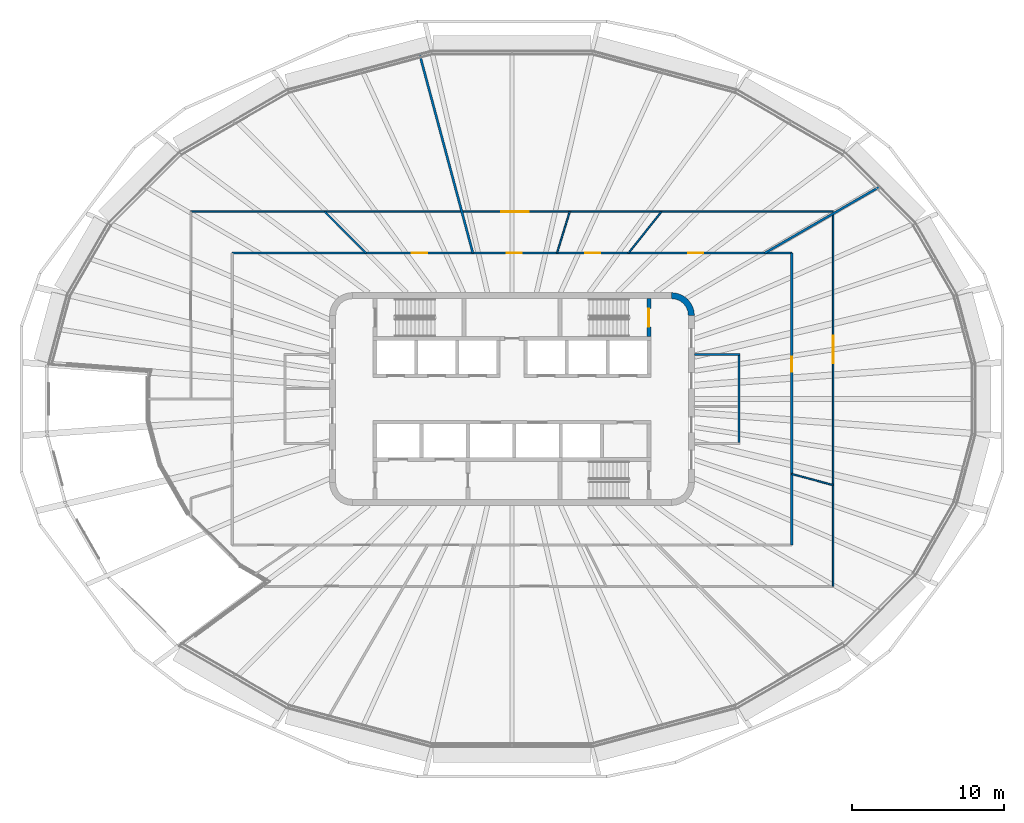
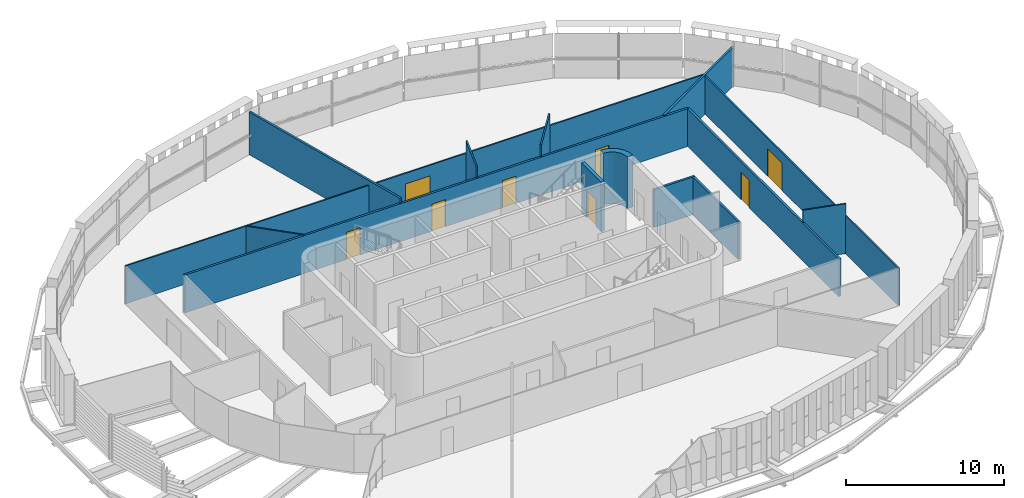
# One storey, part 12 of 19: 14 walls, 8 doors, 8 openings.
"""IFC4 building model written with IfcOpenShell, lengths in metres."""

from ifc_helpers import new_model, si_unit, direction, frame, frame_2d, origin, place, context, subcontext, project, spatial, polyline, rectangle, outline, extrude, material, layer, layer_set, type_object, element, fill, save


model = new_model("IFC4")

# Units and contexts
model_context = context("Model", 3, precision=1e-05, world=origin(), true_north=direction((0.0, 1.0)))
body_context = subcontext(model_context, "Body", "Model", "MODEL_VIEW")
ifc_project = project(units=[si_unit("LENGTHUNIT", "METRE"), si_unit("AREAUNIT", "SQUARE_METRE"), si_unit("VOLUMEUNIT", "CUBIC_METRE"), si_unit("PLANEANGLEUNIT", "RADIAN"), si_unit("MASSUNIT", "GRAM", prefix="KILO")], contexts=[model_context])

# Site, building, storey
site_placement = place(None, origin())
site = spatial("IfcSite", under=ifc_project, at=site_placement, CompositionType="ELEMENT")
building_placement = place(site_placement, origin())
building = spatial("IfcBuilding", under=site, at=building_placement, Name="Sahrelin Media Tower", CompositionType="ELEMENT")
storey_placement = place(building_placement, frame((0.0, 0.0, 229.60009765625)))
storey = spatial("IfcBuildingStorey", under=building, at=storey_placement, Name="L49", CompositionType="ELEMENT", Elevation=229.60009765625)

# Walls
ifc_material_1 = material(Name="Concrete C60/75", Category="concrete")
ifc_layer_1 = layer(ifc_material_1, 0.39990234375)
ifc_layer_set_1 = layer_set([ifc_layer_1], Name="Core wall 400")
wall_type_1 = type_object("IfcWallType", Name="Core wall 400", PredefinedType="SHEAR", material=ifc_layer_set_1)
wall_1_placement = place(storey_placement, origin())
element("IfcWall", 1, at=wall_1_placement, inside=storey, type_object=wall_type_1, Name="Core wall corner NE L49", PredefinedType="SHEAR", context=body_context, shape_type="SweptSolid", body=[
    extrude(outline(polyline([(10.5, 7.0), (10.5, 6.596435546875), (10.78369140625, 6.55908203125), (11.04833984375, 6.44970703125), (11.275390625, 6.275390625), (11.44970703125, 6.04833984375), (11.55908203125, 5.78369140625), (11.596435546875, 5.5), (12.0, 5.5), (11.948974609375, 5.88818359375), (11.799072265625, 6.25), (11.560791015625, 6.560791015625), (11.25, 6.799072265625), (10.88818359375, 6.948974609375), (10.5, 7.0)])), origin(), (0.0, 0.0, 1.0), 4.0),
])
ifc_material_2 = material(Name="Fire-rated gypsum board partition")
ifc_layer_2 = layer(ifc_material_2, 0.14990234375)
ifc_layer_set_2 = layer_set([ifc_layer_2], Name="Fire-rated partition 150")
wall_type_2 = type_object("IfcWallType", Name="Fire-rated partition 150", PredefinedType="PARTITIONING", material=ifc_layer_set_2)
wall_2_placement = place(storey_placement, frame((14.925048828125, -2.85009765625, 0.0), z_axis=(0.0, 0.0, 1.0), x_axis=(0.0, 1.0, 0.0)))
element("IfcWall", 2, at=wall_2_placement, inside=storey, type_object=wall_type_2, Name="Core room fire partition", PredefinedType="PARTITIONING", context=body_context, shape_type="SweptSolid", body=[
    extrude(rectangle(XDim=5.7001953125, YDim=0.14990234375, at=frame_2d((2.85009765625, 0.0))), origin(), (0.0, 0.0, 1.0), 2.918212890625),
])
wall_3_placement = place(storey_placement, frame((12.0, 2.925048828125, 0.0), z_axis=(0.0, 0.0, 1.0), x_axis=(1.0, 0.0, 0.0)))
element("IfcWall", 3, at=wall_3_placement, inside=storey, type_object=wall_type_2, Name="Core room fire partition", PredefinedType="PARTITIONING", context=body_context, shape_type="SweptSolid", body=[
    extrude(rectangle(XDim=3.0, YDim=0.14990234375, at=frame_2d((1.5, 0.0))), origin(), (0.0, 0.0, 1.0), 2.918212890625),
])
wall_4_placement = place(storey_placement, frame((-6.074951171875, 22.6708984375, 0.0), z_axis=(0.0, 0.0, 1.0), x_axis=(0.258861735869, -0.965914386322, 0.0)))
element("IfcWall", 4, at=wall_4_placement, inside=storey, type_object=wall_type_2, Name="Wall", PredefinedType="PARTITIONING", context=body_context, shape_type="SweptSolid", body=[
    extrude(rectangle(XDim=13.531982421875, YDim=0.14990234375, at=frame_2d((6.76611328125, 0.0))), origin(), (0.0, 0.0, 1.0), 3.301513671875),
])

# Wall, openings, doors
wall_5_placement = place(storey_placement, frame((-18.39990234375, 9.60009765625, 0.0), z_axis=(0.0, 0.0, 1.0), x_axis=(1.0, 0.0, 0.0)))
wall_5 = element("IfcWall", 5, at=wall_5_placement, inside=storey, type_object=wall_type_2, Name="Wall", PredefinedType="PARTITIONING", context=body_context, shape_type="SweptSolid", body=[
    extrude(rectangle(XDim=36.7998046875, YDim=0.14990234375, at=frame_2d((18.39990234375, 0.0))), origin(), (0.0, 0.0, 1.0), 2.927001953125),
])
opening_1_placement = place(wall_5_placement, frame((29.991455078125, 0.0, 0.0)))
opening_1 = element("IfcOpeningElement", 6, at=opening_1_placement, cuts=wall_5, Name="Opening L49-D23", PredefinedType="OPENING", context=body_context, shape_type="SweptSolid", body=[
    extrude(rectangle(XDim=1.0, YDim=2.10009765625, at=frame_2d((0.5, 1.050048828125))), frame((0.0, 0.074951171875, 0.0), z_axis=(0.0, -1.0, 0.0), x_axis=(1.0, 0.0, 0.0)), (0.0, 0.0, 1.0), 0.14990234375),
])
opening_2_placement = place(wall_5_placement, frame((23.20849609375, 0.0, 0.0)))
opening_2 = element("IfcOpeningElement", 7, at=opening_2_placement, cuts=wall_5, Name="Opening L49-D24", PredefinedType="OPENING", context=body_context, shape_type="SweptSolid", body=[
    extrude(rectangle(XDim=1.0, YDim=2.10009765625, at=frame_2d((0.5, 1.050048828125))), frame((0.0, 0.074951171875, 0.0), z_axis=(0.0, -1.0, 0.0), x_axis=(1.0, 0.0, 0.0)), (0.0, 0.0, 1.0), 0.14990234375),
])
opening_3_placement = place(wall_5_placement, frame((18.0439453125, 0.0, 0.0)))
opening_3 = element("IfcOpeningElement", 8, at=opening_3_placement, cuts=wall_5, Name="Opening L49-D25", PredefinedType="OPENING", context=body_context, shape_type="SweptSolid", body=[
    extrude(rectangle(XDim=1.0, YDim=2.10009765625, at=frame_2d((0.5, 1.050048828125))), frame((0.0, 0.074951171875, 0.0), z_axis=(0.0, -1.0, 0.0), x_axis=(1.0, 0.0, 0.0)), (0.0, 0.0, 1.0), 0.14990234375),
])
opening_4_placement = place(wall_5_placement, frame((11.81396484375, 0.0, 0.0)))
opening_4 = element("IfcOpeningElement", 9, at=opening_4_placement, cuts=wall_5, Name="Opening L49-D27", PredefinedType="OPENING", context=body_context, shape_type="SweptSolid", body=[
    extrude(rectangle(XDim=1.0, YDim=2.10009765625, at=frame_2d((0.5, 1.050048828125))), frame((0.0, 0.074951171875, 0.0), z_axis=(0.0, -1.0, 0.0), x_axis=(1.0, 0.0, 0.0)), (0.0, 0.0, 1.0), 0.14990234375),
])
ifc_material_3 = material(Name="Steel fire door leaf", Category="steel")
door_type_1 = type_object("IfcDoorType", Name="Fire door 1000 x 2100 EI 60", OperationType="NOTDEFINED", PredefinedType="DOOR", material=ifc_material_3)
door_1_placement = place(opening_1_placement, origin())
door_1 = element("IfcDoor", 10, at=door_1_placement, inside=storey, type_object=door_type_1, Name="Fire door", OperationType="SINGLE_SWING_RIGHT", OverallHeight=2.10009765625, OverallWidth=1.0, PredefinedType="DOOR", context=body_context, shape_type="SweptSolid", body=[
    extrude(rectangle(XDim=1.0, YDim=2.10009765625, at=frame_2d((0.5, 1.050048828125))), frame((0.0, 0.02490234375, 0.0), z_axis=(0.0, -1.0, 0.0), x_axis=(1.0, 0.0, 0.0)), (0.0, 0.0, 1.0), 0.050048828125),
])
fill(opening_1, door_1)
door_2_placement = place(opening_2_placement, origin())
door_2 = element("IfcDoor", 11, at=door_2_placement, inside=storey, type_object=door_type_1, Name="Fire door", OperationType="SINGLE_SWING_RIGHT", OverallHeight=2.10009765625, OverallWidth=1.0, PredefinedType="DOOR", context=body_context, shape_type="SweptSolid", body=[
    extrude(rectangle(XDim=1.0, YDim=2.10009765625, at=frame_2d((0.5, 1.050048828125))), frame((0.0, 0.02490234375, 0.0), z_axis=(0.0, -1.0, 0.0), x_axis=(1.0, 0.0, 0.0)), (0.0, 0.0, 1.0), 0.050048828125),
])
fill(opening_2, door_2)
door_3_placement = place(opening_3_placement, origin())
door_3 = element("IfcDoor", 12, at=door_3_placement, inside=storey, type_object=door_type_1, Name="Fire door", OperationType="SINGLE_SWING_RIGHT", OverallHeight=2.10009765625, OverallWidth=1.0, PredefinedType="DOOR", context=body_context, shape_type="SweptSolid", body=[
    extrude(rectangle(XDim=1.0, YDim=2.10009765625, at=frame_2d((0.5, 1.050048828125))), frame((0.0, 0.02490234375, 0.0), z_axis=(0.0, -1.0, 0.0), x_axis=(1.0, 0.0, 0.0)), (0.0, 0.0, 1.0), 0.050048828125),
])
fill(opening_3, door_3)
door_4_placement = place(opening_4_placement, origin())
door_4 = element("IfcDoor", 13, at=door_4_placement, inside=storey, type_object=door_type_1, Name="Fire door", OperationType="SINGLE_SWING_LEFT", OverallHeight=2.10009765625, OverallWidth=1.0, PredefinedType="DOOR", context=body_context, shape_type="SweptSolid", body=[
    extrude(rectangle(XDim=1.0, YDim=2.10009765625, at=frame_2d((0.5, 1.050048828125))), frame((0.0, 0.02490234375, 0.0), z_axis=(0.0, -1.0, 0.0), x_axis=(1.0, 0.0, 0.0)), (0.0, 0.0, 1.0), 0.050048828125),
])
fill(opening_4, door_4)

# Wall
wall_6_placement = place(storey_placement, frame((16.6279296875, 9.60009765625, 0.0), z_axis=(0.0, 0.0, 1.0), x_axis=(0.866023145199, 0.500003911965, 0.0)))
element("IfcWall", 14, at=wall_6_placement, inside=storey, type_object=wall_type_2, Name="Wall", PredefinedType="PARTITIONING", context=body_context, shape_type="SweptSolid", body=[
    extrude(rectangle(XDim=8.7099609375, YDim=0.14990234375, at=frame_2d((4.35498046875, 0.0))), origin(), (0.0, 0.0, 1.0), 2.994873046875),
])

# Wall, opening, door
wall_7_placement = place(storey_placement, frame((18.39990234375, -9.60009765625, 0.0), z_axis=(0.0, 0.0, 1.0), x_axis=(0.0, 1.0, 0.0)))
wall_7 = element("IfcWall", 15, at=wall_7_placement, inside=storey, type_object=wall_type_2, Name="Wall", PredefinedType="PARTITIONING", context=body_context, shape_type="SweptSolid", body=[
    extrude(rectangle(XDim=19.2001953125, YDim=0.14990234375, at=frame_2d((9.60009765625, 0.0))), origin(), (0.0, 0.0, 1.0), 2.918212890625),
])
opening_5_placement = place(wall_7_placement, frame((11.385009765625, 0.0, 0.0)))
opening_5 = element("IfcOpeningElement", 16, at=opening_5_placement, cuts=wall_7, Name="Opening L49-D21", PredefinedType="OPENING", context=body_context, shape_type="SweptSolid", body=[
    extrude(rectangle(XDim=1.0, YDim=2.10009765625, at=frame_2d((0.5, 1.050048828125))), frame((0.0, 0.074951171875, 0.0), z_axis=(0.0, -1.0, 0.0), x_axis=(1.0, 0.0, 0.0)), (0.0, 0.0, 1.0), 0.14990234375),
])
door_5_placement = place(opening_5_placement, origin())
door_5 = element("IfcDoor", 17, at=door_5_placement, inside=storey, type_object=door_type_1, Name="Fire door", OperationType="SINGLE_SWING_RIGHT", OverallHeight=2.10009765625, OverallWidth=1.0, PredefinedType="DOOR", context=body_context, shape_type="SweptSolid", body=[
    extrude(rectangle(XDim=1.0, YDim=2.10009765625, at=frame_2d((0.5, 1.050048828125))), frame((0.0, 0.02490234375, 0.0), z_axis=(0.0, -1.0, 0.0), x_axis=(1.0, 0.0, 0.0)), (0.0, 0.0, 1.0), 0.050048828125),
])
fill(opening_5, door_5)

# Walls
ifc_material_4 = material(Name="Gypsum board partition")
ifc_layer_3 = layer(ifc_material_4, 0.10009765625)
ifc_layer_set_3 = layer_set([ifc_layer_3], Name="Partition 100")
wall_type_3 = type_object("IfcWallType", Name="Partition 100", PredefinedType="PARTITIONING", material=ifc_layer_set_3)
wall_8_placement = place(storey_placement, frame((-12.320068359375, 12.320068359375, 0.0), z_axis=(0.0, 0.0, 1.0), x_axis=(0.707106781187, -0.707106781187, 0.0)))
element("IfcWall", 18, at=wall_8_placement, inside=storey, type_object=wall_type_3, Name="Wall", PredefinedType="PARTITIONING", context=body_context, shape_type="SweptSolid", body=[
    extrude(rectangle(XDim=3.8466796875, YDim=0.10009765625, at=frame_2d((1.92333984375, 0.0))), origin(), (0.0, 0.0, 1.0), 2.927001953125),
])
wall_9_placement = place(storey_placement, frame((18.39990234375, -4.929931640625, 0.0), z_axis=(0.0, 0.0, 1.0), x_axis=(0.965914770141, -0.258860303684, 0.0)))
element("IfcWall", 19, at=wall_9_placement, inside=storey, type_object=wall_type_3, Name="Wall", PredefinedType="PARTITIONING", context=body_context, shape_type="SweptSolid", body=[
    extrude(rectangle(XDim=2.816162109375, YDim=0.10009765625, at=frame_2d((1.408203125, 0.0))), origin(), (0.0, 0.0, 1.0), 3.849853515625),
])

# Wall, opening, door
wall_10_placement = place(storey_placement, frame((-21.1201171875, 12.320068359375, 0.0), z_axis=(0.0, 0.0, 1.0), x_axis=(1.0, 0.0, 0.0)))
wall_10 = element("IfcWall", 20, at=wall_10_placement, inside=storey, type_object=wall_type_3, Name="Wall", PredefinedType="PARTITIONING", context=body_context, shape_type="SweptSolid", body=[
    extrude(rectangle(XDim=42.240234375, YDim=0.10009765625, at=frame_2d((21.1201171875, 0.0))), origin(), (0.0, 0.0, 1.0), 2.927001953125),
])
opening_6_placement = place(wall_10_placement, frame((20.41943359375, 0.0, 0.0)))
opening_6 = element("IfcOpeningElement", 21, at=opening_6_placement, cuts=wall_10, Name="Opening L49-D26", PredefinedType="OPENING", context=body_context, shape_type="SweptSolid", body=[
    extrude(rectangle(XDim=1.800048828125, YDim=2.10009765625, at=frame_2d((0.89990234375, 1.050048828125))), frame((0.0, 0.050048828125, 0.0), z_axis=(0.0, -1.0, 0.0), x_axis=(1.0, 0.0, 0.0)), (0.0, 0.0, 1.0), 0.10009765625),
])
ifc_material_5 = material(Name="Timber door leaf", Category="wood")
door_type_2 = type_object("IfcDoorType", Name="Double door 1800 x 2100", OperationType="DOUBLE_DOOR_SINGLE_SWING", PredefinedType="DOOR", material=ifc_material_5)
door_6_placement = place(opening_6_placement, origin())
door_6 = element("IfcDoor", 22, at=door_6_placement, inside=storey, type_object=door_type_2, Name="Double door", OperationType="DOUBLE_DOOR_SINGLE_SWING", OverallHeight=2.10009765625, OverallWidth=1.800048828125, PredefinedType="DOOR", context=body_context, shape_type="SweptSolid", body=[
    extrude(rectangle(XDim=1.800048828125, YDim=2.10009765625, at=frame_2d((0.89990234375, 1.050048828125))), frame((0.0, 0.02490234375, 0.0), z_axis=(0.0, -1.0, 0.0), x_axis=(1.0, 0.0, 0.0)), (0.0, 0.0, 1.0), 0.050048828125),
])
fill(opening_6, door_6)

# Walls
wall_11_placement = place(storey_placement, frame((7.656005859375, 9.60009765625, 0.0), z_axis=(0.0, 0.0, 1.0), x_axis=(0.623461874371, 0.78185375308, 0.0)))
element("IfcWall", 23, at=wall_11_placement, inside=storey, type_object=wall_type_3, Name="Wall", PredefinedType="PARTITIONING", context=body_context, shape_type="SweptSolid", body=[
    extrude(rectangle(XDim=3.478759765625, YDim=0.10009765625, at=frame_2d((1.7392578125, 0.0))), origin(), (0.0, 0.0, 1.0), 3.849853515625),
])
wall_12_placement = place(storey_placement, frame((2.9609375, 9.60009765625, 0.0), z_axis=(0.0, 0.0, 1.0), x_axis=(0.294790935958, 0.955561774077, 0.0)))
element("IfcWall", 24, at=wall_12_placement, inside=storey, type_object=wall_type_3, Name="Wall", PredefinedType="PARTITIONING", context=body_context, shape_type="SweptSolid", body=[
    extrude(rectangle(XDim=2.846435546875, YDim=0.10009765625, at=frame_2d((1.42333984375, 0.0))), origin(), (0.0, 0.0, 1.0), 3.849853515625),
])

# Wall, opening, door
wall_13_placement = place(storey_placement, frame((21.1201171875, -12.320068359375, 0.0), z_axis=(0.0, 0.0, 1.0), x_axis=(0.0, 1.0, 0.0)))
wall_13 = element("IfcWall", 25, at=wall_13_placement, inside=storey, type_object=wall_type_3, Name="Wall", PredefinedType="PARTITIONING", context=body_context, shape_type="SweptSolid", body=[
    extrude(rectangle(XDim=24.51318359375, YDim=0.10009765625, at=frame_2d((12.256591796875, 0.0))), origin(), (0.0, 0.0, 1.0), 2.918212890625),
])
opening_7_placement = place(wall_13_placement, frame((14.68701171875, 0.0, 0.0)))
opening_7 = element("IfcOpeningElement", 26, at=opening_7_placement, cuts=wall_13, Name="Opening L49-D22", PredefinedType="OPENING", context=body_context, shape_type="SweptSolid", body=[
    extrude(rectangle(XDim=1.800048828125, YDim=2.10009765625, at=frame_2d((0.89990234375, 1.050048828125))), frame((0.0, 0.050048828125, 0.0), z_axis=(0.0, -1.0, 0.0), x_axis=(1.0, 0.0, 0.0)), (0.0, 0.0, 1.0), 0.10009765625),
])
door_7_placement = place(opening_7_placement, origin())
door_7 = element("IfcDoor", 27, at=door_7_placement, inside=storey, type_object=door_type_2, Name="Double door", OperationType="DOUBLE_DOOR_SINGLE_SWING", OverallHeight=2.10009765625, OverallWidth=1.800048828125, PredefinedType="DOOR", context=body_context, shape_type="SweptSolid", body=[
    extrude(rectangle(XDim=1.800048828125, YDim=2.10009765625, at=frame_2d((0.89990234375, 1.050048828125))), frame((0.0, 0.02490234375, 0.0), z_axis=(0.0, -1.0, 0.0), x_axis=(1.0, 0.0, 0.0)), (0.0, 0.0, 1.0), 0.050048828125),
])
fill(opening_7, door_7)

ifc_layer_4 = layer(ifc_material_1, 0.25)
ifc_layer_set_4 = layer_set([ifc_layer_4], Name="Stair enclosure wall 250")
wall_type_4 = type_object("IfcWallType", Name="Stair enclosure wall 250", PredefinedType="SOLIDWALL", material=ifc_layer_set_4)
wall_14_placement = place(storey_placement, frame((9.0, 4.10009765625, 0.0), z_axis=(0.0, 0.0, 1.0), x_axis=(0.0, 1.0, 0.0)))
wall_14 = element("IfcWall", 28, at=wall_14_placement, inside=storey, type_object=wall_type_4, Name="Stair enclosure wall", PredefinedType="SOLIDWALL", context=body_context, shape_type="SweptSolid", body=[
    extrude(rectangle(XDim=2.5, YDim=0.25, at=frame_2d((1.25, 0.0))), origin(), (0.0, 0.0, 1.0), 3.849853515625),
])
opening_8_placement = place(wall_14_placement, frame((0.64990234375, 0.0, 0.0)))
opening_8 = element("IfcOpeningElement", 29, at=opening_8_placement, cuts=wall_14, Name="Opening L49-D02", PredefinedType="OPENING", context=body_context, shape_type="SweptSolid", body=[
    extrude(rectangle(XDim=1.199951171875, YDim=2.10009765625, at=frame_2d((0.60009765625, 1.050048828125))), frame((0.0, 0.125, 0.0), z_axis=(0.0, -1.0, 0.0), x_axis=(1.0, 0.0, 0.0)), (0.0, 0.0, 1.0), 0.25),
])
door_type_3 = type_object("IfcDoorType", Name="Stair door 1200 x 2100 EI 120", OperationType="NOTDEFINED", PredefinedType="DOOR", material=ifc_material_3)
door_8_placement = place(opening_8_placement, origin())
door_8 = element("IfcDoor", 30, at=door_8_placement, inside=storey, type_object=door_type_3, Name="Stair door ST3", OperationType="SINGLE_SWING_LEFT", OverallHeight=2.10009765625, OverallWidth=1.199951171875, PredefinedType="DOOR", context=body_context, shape_type="SweptSolid", body=[
    extrude(rectangle(XDim=1.199951171875, YDim=2.10009765625, at=frame_2d((0.60009765625, 1.050048828125))), frame((0.0, 0.02490234375, 0.0), z_axis=(0.0, -1.0, 0.0), x_axis=(1.0, 0.0, 0.0)), (0.0, 0.0, 1.0), 0.050048828125),
])
fill(opening_8, door_8)

save(model, "model.ifc")
